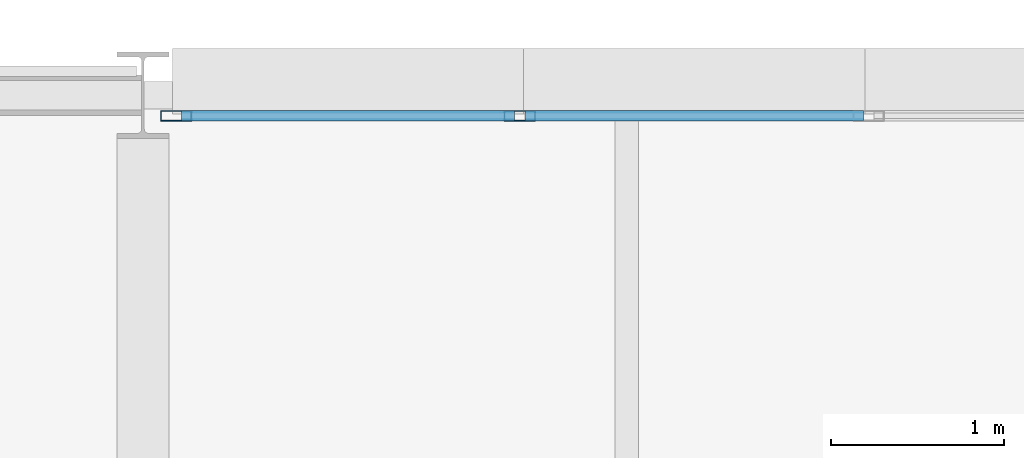
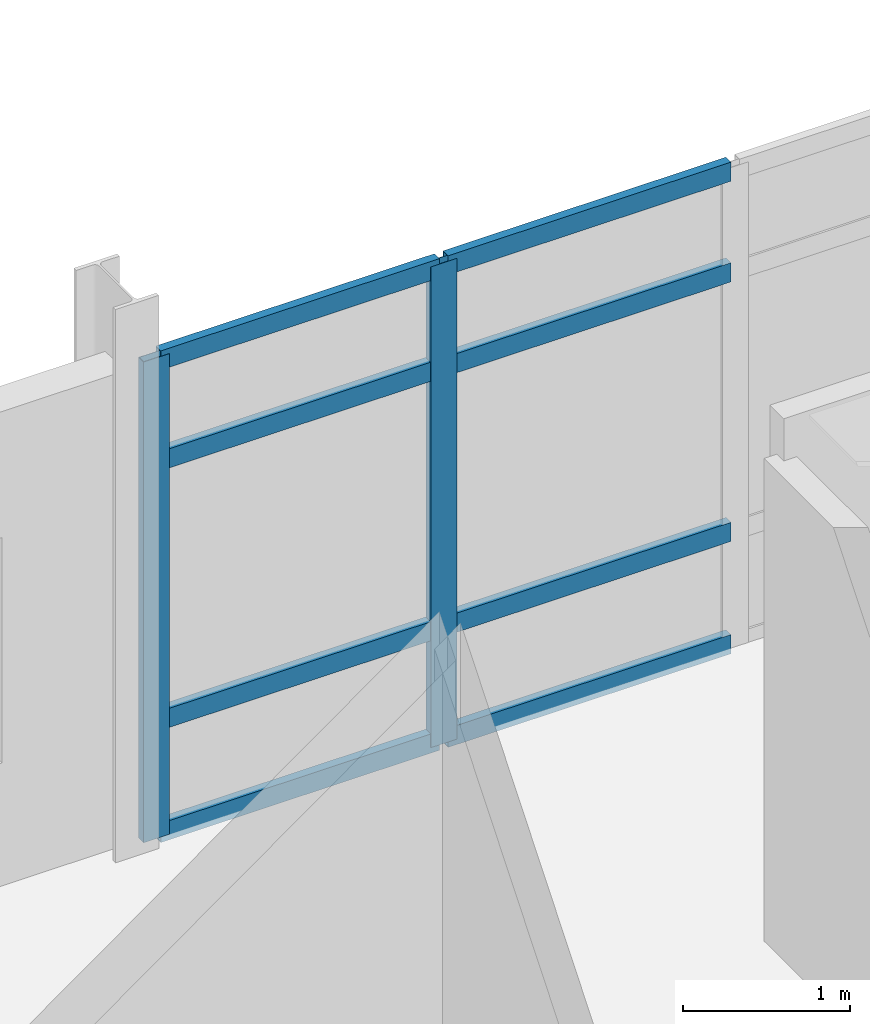
# One storey, part 75 of 151: 10 members, 1 element without a shape of its own.
"""IFC4 building model written with IfcOpenShell, lengths in metres."""

from ifc_helpers import new_model, si_unit, direction, frame, origin, origin_2d, place, context, subcontext, project, spatial, hollow_rectangle, extrude, material, material_profile, profile_set, type_object, element, aggregate, save


model = new_model("IFC4")

# Units and contexts
model_context = context("Model", 3, precision=1e-05, world=origin(), true_north=direction((0.0, 1.0)))
body_context = subcontext(model_context, "Body", "Model", "MODEL_VIEW")
ifc_project = project(units=[si_unit("LENGTHUNIT", "METRE"), si_unit("AREAUNIT", "SQUARE_METRE"), si_unit("VOLUMEUNIT", "CUBIC_METRE"), si_unit("PLANEANGLEUNIT", "RADIAN"), si_unit("MASSUNIT", "GRAM", prefix="KILO")], contexts=[model_context])

# Site, building, storey
site_placement = place(None, origin())
site = spatial("IfcSite", under=ifc_project, at=site_placement, CompositionType="ELEMENT")
building_placement = place(site_placement, origin())
building = spatial("IfcBuilding", under=site, at=building_placement, Name="Mersafa Astral City Hall", CompositionType="ELEMENT")
storey_placement = place(building_placement, frame((0.0, 0.0, 9.89990234375)))
storey = spatial("IfcBuildingStorey", under=building, at=storey_placement, Name="L02", CompositionType="ELEMENT", Elevation=9.89990234375)

# Curtain wall, members
ifc_material = material(Name="Anodised bronze aluminium framing", Category="aluminium")
curtain_wall_type = type_object("IfcCurtainWallType", Name="ENV-CW-4", PredefinedType="USERDEFINED", material=ifc_material)
curtain_wall_placement = place(storey_placement, origin())
curtain_wall = element("IfcCurtainWall", 1, at=curtain_wall_placement, inside=storey, type_object=curtain_wall_type, Name="L02 Unitised solar curtain wall 129", ObjectType="UNITISED CURTAIN WALL", PredefinedType="USERDEFINED")
ifc_material_profile_1 = material_profile(ifc_material, hollow_rectangle(XDim=0.06005859375, YDim=0.179931640625, WallThickness=0.00390625, at=origin_2d()), Name="RHS 60x180x4")
ifc_profile_set_1 = profile_set([ifc_material_profile_1], Name="Anodised bronze aluminium framing")
member_type_1 = type_object("IfcMemberType", Name="ENV-CW-MUL-1", PredefinedType="MULLION", material=ifc_profile_set_1)
member_1_placement = place(storey_placement, frame((102.98095703125, 125.8798828125, -0.001953125), z_axis=(0.0, 0.0, 1.0), x_axis=(0.0, -1.0, 0.0)))
member_1 = element("IfcMember", 2, at=member_1_placement, type_object=member_type_1, Name="CW-4 mullion 4", PredefinedType="MULLION", context=body_context, shape_type="SweptSolid", body=[
    extrude(hollow_rectangle(XDim=0.06005859375, YDim=0.179931640625, WallThickness=0.00390625, at=origin_2d()), origin(), (0.0, 0.0, 1.0), 3.51904296875),
])
member_2_placement = place(storey_placement, frame((100.991943359375, 125.8798828125, -0.001953125), z_axis=(0.0, 0.0, 1.0), x_axis=(0.0, -1.0, 0.0)))
member_2 = element("IfcMember", 3, at=member_2_placement, type_object=member_type_1, Name="CW-4 mullion 5", PredefinedType="MULLION", context=body_context, shape_type="SweptSolid", body=[
    extrude(hollow_rectangle(XDim=0.06005859375, YDim=0.179931640625, WallThickness=0.00390625, at=origin_2d()), origin(), (0.0, 0.0, 1.0), 3.51904296875),
])
ifc_material_profile_2 = material_profile(ifc_material, hollow_rectangle(XDim=0.06005859375, YDim=0.139892578125, WallThickness=0.00390625, at=origin_2d()), Name="RHS 60x140x4")
ifc_profile_set_2 = profile_set([ifc_material_profile_2], Name="Anodised bronze aluminium framing")
member_type_2 = type_object("IfcMemberType", Name="ENV-CW-TRN-1", PredefinedType="USERDEFINED", material=ifc_profile_set_2)
member_3_placement = place(storey_placement, frame((104.969970703125, 125.8798828125, 0.028076171875), z_axis=(-1.0, 0.0, 0.0), x_axis=(0.0, -1.0, 0.0)))
member_3 = element("IfcMember", 4, at=member_3_placement, type_object=member_type_2, Name="CW-4 transom 3.1", ObjectType="TRANSOM", PredefinedType="USERDEFINED", context=body_context, shape_type="SweptSolid", body=[
    extrude(hollow_rectangle(XDim=0.06005859375, YDim=0.139892578125, WallThickness=0.00390625, at=origin_2d()), origin(), (0.0, 0.0, 1.0), 1.958984375),
])
member_4_placement = place(storey_placement, frame((104.969970703125, 125.8798828125, 0.85009765625), z_axis=(-1.0, 0.0, 0.0), x_axis=(0.0, -1.0, 0.0)))
member_4 = element("IfcMember", 5, at=member_4_placement, type_object=member_type_2, Name="CW-4 transom 3.2", ObjectType="TRANSOM", PredefinedType="USERDEFINED", context=body_context, shape_type="SweptSolid", body=[
    extrude(hollow_rectangle(XDim=0.06005859375, YDim=0.139892578125, WallThickness=0.00390625, at=origin_2d()), origin(), (0.0, 0.0, 1.0), 1.958984375),
])
member_5_placement = place(storey_placement, frame((104.969970703125, 125.8798828125, 2.75), z_axis=(-1.0, 0.0, 0.0), x_axis=(0.0, -1.0, 0.0)))
member_5 = element("IfcMember", 6, at=member_5_placement, type_object=member_type_2, Name="CW-4 transom 3.3", ObjectType="TRANSOM", PredefinedType="USERDEFINED", context=body_context, shape_type="SweptSolid", body=[
    extrude(hollow_rectangle(XDim=0.06005859375, YDim=0.139892578125, WallThickness=0.00390625, at=origin_2d()), origin(), (0.0, 0.0, 1.0), 1.958984375),
])
member_6_placement = place(storey_placement, frame((104.969970703125, 125.8798828125, 3.487060546875), z_axis=(-1.0, 0.0, 0.0), x_axis=(0.0, -1.0, 0.0)))
member_6 = element("IfcMember", 7, at=member_6_placement, type_object=member_type_2, Name="CW-4 transom 3.4", ObjectType="TRANSOM", PredefinedType="USERDEFINED", context=body_context, shape_type="SweptSolid", body=[
    extrude(hollow_rectangle(XDim=0.06005859375, YDim=0.139892578125, WallThickness=0.00390625, at=origin_2d()), origin(), (0.0, 0.0, 1.0), 1.958984375),
])
member_7_placement = place(storey_placement, frame((102.950927734375, 125.8798828125, 0.028076171875), z_axis=(-1.0, 0.0, 0.0), x_axis=(0.0, -1.0, 0.0)))
member_7 = element("IfcMember", 8, at=member_7_placement, type_object=member_type_2, Name="CW-4 transom 4.1", ObjectType="TRANSOM", PredefinedType="USERDEFINED", context=body_context, shape_type="SweptSolid", body=[
    extrude(hollow_rectangle(XDim=0.06005859375, YDim=0.139892578125, WallThickness=0.00390625, at=origin_2d()), origin(), (0.0, 0.0, 1.0), 1.928955078125),
])
member_8_placement = place(storey_placement, frame((102.950927734375, 125.8798828125, 0.85009765625), z_axis=(-1.0, 0.0, 0.0), x_axis=(0.0, -1.0, 0.0)))
member_8 = element("IfcMember", 9, at=member_8_placement, type_object=member_type_2, Name="CW-4 transom 4.2", ObjectType="TRANSOM", PredefinedType="USERDEFINED", context=body_context, shape_type="SweptSolid", body=[
    extrude(hollow_rectangle(XDim=0.06005859375, YDim=0.139892578125, WallThickness=0.00390625, at=origin_2d()), origin(), (0.0, 0.0, 1.0), 1.928955078125),
])
member_9_placement = place(storey_placement, frame((102.950927734375, 125.8798828125, 2.75), z_axis=(-1.0, 0.0, 0.0), x_axis=(0.0, -1.0, 0.0)))
member_9 = element("IfcMember", 10, at=member_9_placement, type_object=member_type_2, Name="CW-4 transom 4.3", ObjectType="TRANSOM", PredefinedType="USERDEFINED", context=body_context, shape_type="SweptSolid", body=[
    extrude(hollow_rectangle(XDim=0.06005859375, YDim=0.139892578125, WallThickness=0.00390625, at=origin_2d()), origin(), (0.0, 0.0, 1.0), 1.928955078125),
])
member_10_placement = place(storey_placement, frame((102.950927734375, 125.8798828125, 3.487060546875), z_axis=(-1.0, 0.0, 0.0), x_axis=(0.0, -1.0, 0.0)))
member_10 = element("IfcMember", 11, at=member_10_placement, type_object=member_type_2, Name="CW-4 transom 4.4", ObjectType="TRANSOM", PredefinedType="USERDEFINED", context=body_context, shape_type="SweptSolid", body=[
    extrude(hollow_rectangle(XDim=0.06005859375, YDim=0.139892578125, WallThickness=0.00390625, at=origin_2d()), origin(), (0.0, 0.0, 1.0), 1.928955078125),
])
aggregate(curtain_wall, [member_1, member_2, member_3, member_4, member_5, member_6, member_7, member_8, member_9, member_10])

save(model, "model.ifc")
